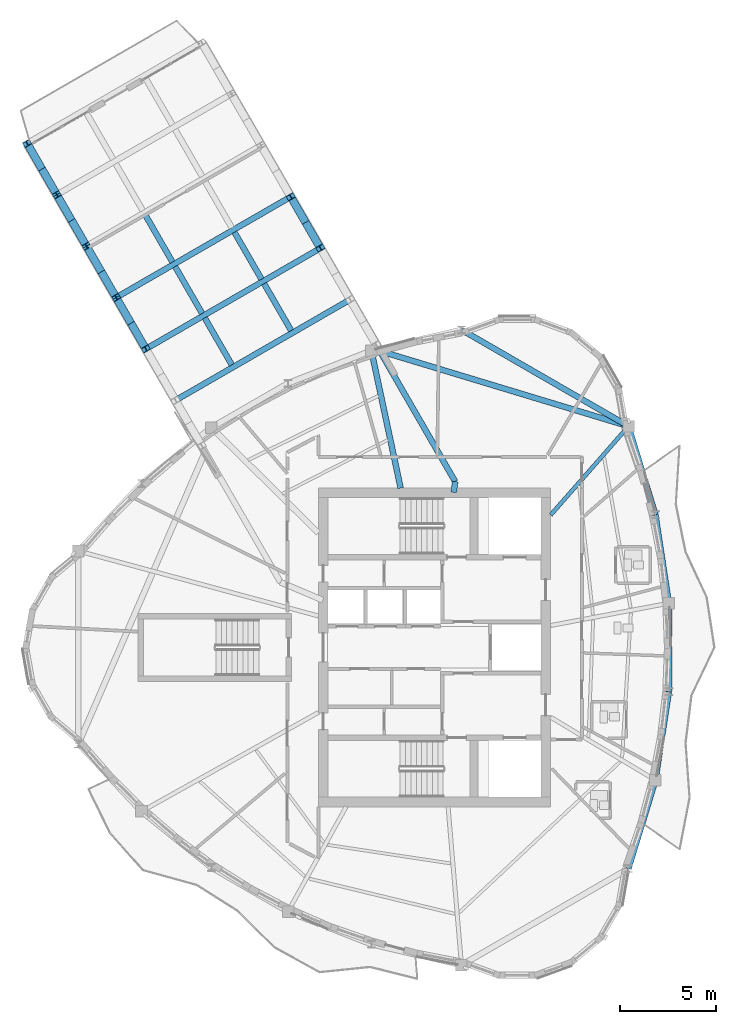
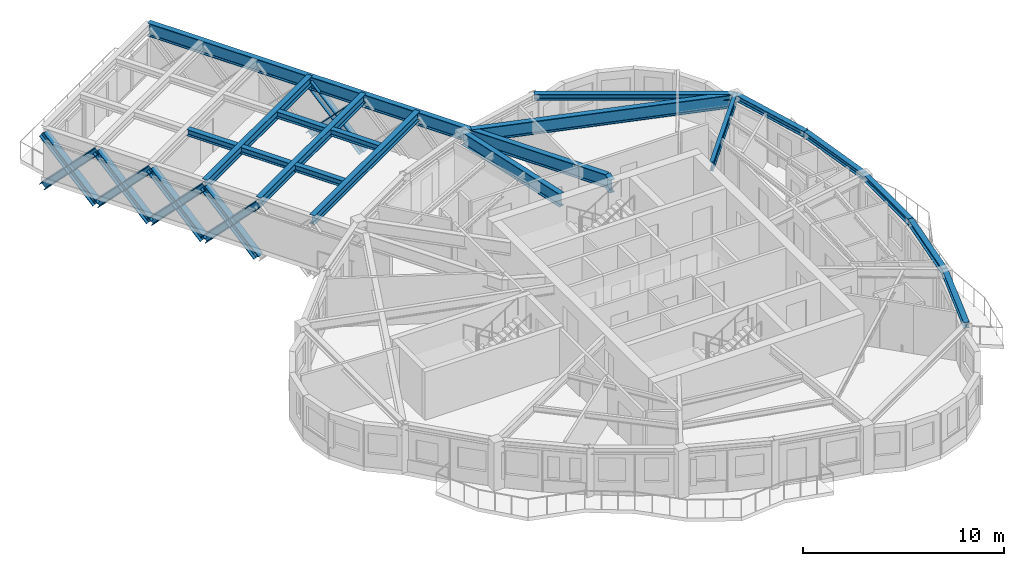
# One storey, part 2 of 14: 19 beams, 10 members.
"""IFC4 building model written with IfcOpenShell, lengths in metres."""

from ifc_helpers import new_model, si_unit, direction, frame, origin, origin_2d, place, context, subcontext, project, spatial, i_section, extrude, source, transform, mapped, material, material_profile, profile_set, type_object, element, save


model = new_model("IFC4")

# Units and contexts
model_context = context("Model", 3, precision=1e-05, world=origin(), true_north=direction((0.0, 1.0)))
body_context = subcontext(model_context, "Body", "Model", "MODEL_VIEW")
ifc_project = project(units=[si_unit("LENGTHUNIT", "METRE"), si_unit("AREAUNIT", "SQUARE_METRE"), si_unit("VOLUMEUNIT", "CUBIC_METRE"), si_unit("PLANEANGLEUNIT", "RADIAN"), si_unit("MASSUNIT", "GRAM", prefix="KILO")], contexts=[model_context])

# Site, building, storey
site_placement = place(None, origin())
site = spatial("IfcSite", under=ifc_project, at=site_placement, CompositionType="ELEMENT")
building_placement = place(site_placement, origin())
building = spatial("IfcBuilding", under=site, at=building_placement, Name="Qafzar Sky-Pleat Residences", CompositionType="ELEMENT")
storey_placement = place(building_placement, frame((0.0, 0.0, 208.39990234375)))
storey = spatial("IfcBuildingStorey", under=building, at=storey_placement, Name="L62", CompositionType="ELEMENT", Elevation=208.39990234375)

# Beams
ifc_material_1 = material(Name="Steel S355", Category="steel")
ifc_material_profile_1 = material_profile(ifc_material_1, i_section(OverallWidth=0.300048828125, OverallDepth=0.360107421875, WebThickness=0.012451171875, FlangeThickness=0.0224609375, FilletRadius=0.027099609375, at=origin_2d()), Name="HEB 360")
ifc_profile_set_1 = profile_set([ifc_material_profile_1], Name="Steel S355")
beam_type_1 = type_object("IfcBeamType", Name="BM-SPAN-HEB360", PredefinedType="SPANDREL", material=ifc_profile_set_1)
shared_shape_1 = source(origin(), body_context, "Body", "SweptSolid", [
    extrude(i_section(OverallWidth=0.300048828125, OverallDepth=0.360107421875, WebThickness=0.012451171875, FlangeThickness=0.0224609375, FilletRadius=0.027099609375, at=origin_2d()), origin(), (0.0, 0.0, 1.0), 10.0458984375),
])
beam_1_placement = place(storey_placement, frame((40.452392578125, 37.5224609375, 2.753173828125), z_axis=(-0.866024107753, 0.500002244785, 0.0), x_axis=(-0.500002244785, -0.866024107753, 0.0)))
element("IfcBeam", 1, at=beam_1_placement, inside=storey, type_object=beam_type_1, Name="L62 Perimeter Spandrel Beam 13", PredefinedType="SPANDREL", context=body_context, shape_type="MappedRepresentation", body=[
    mapped(shared_shape_1, transform((0.0, 0.0, 0.0), x_axis=(1.0, 0.0, 0.0), y_axis=(0.0, 1.0, 0.0), z_axis=(0.0, 0.0, 1.0), scale=1.0)),
])
shared_shape_2 = source(origin(), body_context, "Body", "SweptSolid", [
    extrude(i_section(OverallWidth=0.300048828125, OverallDepth=0.360107421875, WebThickness=0.012451171875, FlangeThickness=0.0224609375, FilletRadius=0.027099609375, at=origin_2d()), origin(), (0.0, 0.0, 1.0), 4.662109375),
])
for number, where, z_axis, x_axis, name in (
    (2, (41.853515625, 19.08642578125, 2.753173828125), (0.150294012462, 0.988641345392, 0.0), (-0.988641345392, 0.150294012462, 0.0), "L62 Perimeter Spandrel Beam 9"),
    (3, (42.55419921875, 28.304443359375, 2.753173828125), (-0.150294012462, 0.988641345392, 0.0), (-0.988641345392, -0.150294012462, 0.0), "L62 Perimeter Spandrel Beam 11"),
):
    element("IfcBeam", number, at=place(storey_placement, frame(where, z_axis=z_axis, x_axis=x_axis)), inside=storey, type_object=beam_type_1, Name=name, PredefinedType="SPANDREL", context=body_context, shape_type="MappedRepresentation", body=[
        mapped(shared_shape_2, transform((0.0, 0.0, 0.0), x_axis=(1.0, 0.0, 0.0), y_axis=(0.0, 1.0, 0.0), z_axis=(0.0, 0.0, 1.0), scale=1.0)),
    ])
shared_shape_3 = source(origin(), body_context, "Body", "SweptSolid", [
    extrude(i_section(OverallWidth=0.300048828125, OverallDepth=0.360107421875, WebThickness=0.012451171875, FlangeThickness=0.0224609375, FilletRadius=0.027099609375, at=origin_2d()), origin(), (0.0, 0.0, 1.0), 4.60888671875),
])
beam_2_placement = place(storey_placement, frame((42.55419921875, 23.695556640625, 2.753173828125), z_axis=(0.0, 1.0, 0.0), x_axis=(-1.0, 0.0, 0.0)))
element("IfcBeam", 4, at=beam_2_placement, inside=storey, type_object=beam_type_1, Name="L62 Perimeter Spandrel Beam 10", PredefinedType="SPANDREL", context=body_context, shape_type="MappedRepresentation", body=[
    mapped(shared_shape_3, transform((0.0, 0.0, 0.0), x_axis=(1.0, 0.0, 0.0), y_axis=(0.0, 1.0, 0.0), z_axis=(0.0, 0.0, 1.0), scale=1.0)),
])
shared_shape_4 = source(origin(), body_context, "Body", "SweptSolid", [
    extrude(i_section(OverallWidth=0.300048828125, OverallDepth=0.360107421875, WebThickness=0.012451171875, FlangeThickness=0.0224609375, FilletRadius=0.027099609375, at=origin_2d()), origin(), (0.0, 0.0, 1.0), 4.817138671875),
])
for number, where, z_axis, x_axis, name in (
    (5, (40.452392578125, 14.4775390625, 2.753173828125), (0.290861107496, 0.956765287908, 0.0), (-0.956765287908, 0.290861107496, 0.0), "L62 Perimeter Spandrel Beam 8"),
    (6, (41.853515625, 32.91357421875, 2.753173828125), (-0.290861107496, 0.956765287908, 0.0), (-0.956765287908, -0.290861107496, 0.0), "L62 Perimeter Spandrel Beam 12"),
):
    element("IfcBeam", number, at=place(storey_placement, frame(where, z_axis=z_axis, x_axis=x_axis)), inside=storey, type_object=beam_type_1, Name=name, PredefinedType="SPANDREL", context=body_context, shape_type="MappedRepresentation", body=[
        mapped(shared_shape_4, transform((0.0, 0.0, 0.0), x_axis=(1.0, 0.0, 0.0), y_axis=(0.0, 1.0, 0.0), z_axis=(0.0, 0.0, 1.0), scale=1.0)),
    ])
ifc_material_profile_2 = material_profile(ifc_material_1, i_section(OverallWidth=0.2099609375, OverallDepth=0.550048828125, WebThickness=0.010986328125, FlangeThickness=0.01708984375, FilletRadius=0.02392578125, at=origin_2d()), Name="IPE 550")
ifc_profile_set_2 = profile_set([ifc_material_profile_2], Name="Steel S355")
beam_type_2 = type_object("IfcBeamType", Name="BM-SEC-IPE550", PredefinedType="BEAM", material=ifc_profile_set_2)
shared_shape_5 = source(origin(), body_context, "Body", "SweptSolid", [
    extrude(i_section(OverallWidth=0.2099609375, OverallDepth=0.550048828125, WebThickness=0.010986328125, FlangeThickness=0.01708984375, FilletRadius=0.02392578125, at=origin_2d()), origin(), (0.0, 0.0, 1.0), 6.14697265625),
])
beam_3_placement = place(storey_placement, frame((40.452392578125, 37.5224609375, 2.658203125), z_axis=(-0.659257841013, -0.751916949578, 0.0), x_axis=(0.751916949578, -0.659257841013, 0.0)))
element("IfcBeam", 7, at=beam_3_placement, inside=storey, type_object=beam_type_2, Name="L62 Radial Floor Girder 13", PredefinedType="BEAM", context=body_context, shape_type="MappedRepresentation", body=[
    mapped(shared_shape_5, transform((0.0, 0.0, 0.0), x_axis=(1.0, 0.0, 0.0), y_axis=(0.0, 1.0, 0.0), z_axis=(0.0, 0.0, 1.0), scale=1.0)),
])
ifc_material_2 = material(Name="Steel S460", Category="steel")
ifc_material_profile_3 = material_profile(ifc_material_2, i_section(OverallWidth=0.300048828125, OverallDepth=0.800048828125, WebThickness=0.017578125, FlangeThickness=0.032958984375, FilletRadius=0.030029296875, at=origin_2d()), Name="HEB 800")
ifc_profile_set_3 = profile_set([ifc_material_profile_3], Name="Steel S460")
beam_type_3 = type_object("IfcBeamType", Name="BM-CHORD-HEB800", PredefinedType="BEAM", material=ifc_profile_set_3)
shared_shape_6 = source(origin(), body_context, "Body", "SweptSolid", [
    extrude(i_section(OverallWidth=0.300048828125, OverallDepth=0.800048828125, WebThickness=0.017578125, FlangeThickness=0.032958984375, FilletRadius=0.030029296875, at=origin_2d()), origin(), (0.0, 0.0, 1.0), 7.314697265625),
])
beam_4_placement = place(storey_placement, frame((27.060302734375, 41.454345703125, 2.533203125), z_axis=(0.208206835337, -0.978084819287, 0.0), x_axis=(0.978084819287, 0.208206835337, 0.0)))
element("IfcBeam", 8, at=beam_4_placement, inside=storey, type_object=beam_type_3, Name="L62 Radial Floor Girder 15", PredefinedType="BEAM", context=body_context, shape_type="MappedRepresentation", body=[
    mapped(shared_shape_6, transform((0.0, 0.0, 0.0), x_axis=(1.0, 0.0, 0.0), y_axis=(0.0, 1.0, 0.0), z_axis=(0.0, 0.0, 1.0), scale=1.0)),
])
shared_shape_7 = source(origin(), body_context, "Body", "SweptSolid", [
    extrude(i_section(OverallWidth=0.300048828125, OverallDepth=0.800048828125, WebThickness=0.017578125, FlangeThickness=0.032958984375, FilletRadius=0.030029296875, at=origin_2d()), origin(), (0.0, 0.0, 1.0), 0.5732421875),
])
beam_5_placement = place(storey_placement, frame((31.421630859375, 34.643798828125, 2.531005859375), z_axis=(-0.123091100206, -0.992395375367, 0.0), x_axis=(0.992395375367, -0.123091100206, 0.0)))
element("IfcBeam", 9, at=beam_5_placement, inside=storey, type_object=beam_type_3, Name="L62 SB-5 Core Back-Span Tie Girder R", PredefinedType="BEAM", context=body_context, shape_type="MappedRepresentation", body=[
    mapped(shared_shape_7, transform((0.0, 0.0, 0.0), x_axis=(1.0, 0.0, 0.0), y_axis=(0.0, 1.0, 0.0), z_axis=(0.0, 0.0, 1.0), scale=1.0)),
])
shared_shape_8 = source(origin(), body_context, "Body", "SweptSolid", [
    extrude(i_section(OverallWidth=0.300048828125, OverallDepth=0.800048828125, WebThickness=0.017578125, FlangeThickness=0.032958984375, FilletRadius=0.030029296875, at=origin_2d()), origin(), (0.0, 0.0, 1.0), 26.399169921875),
])
beam_6_placement = place(storey_placement, frame((31.421630859375, 34.643798828125, 2.533203125), z_axis=(-0.49999730459, 0.866026959975, 0.0), x_axis=(-0.866026959975, -0.49999730459, 0.0)))
element("IfcBeam", 10, at=beam_6_placement, inside=storey, type_object=beam_type_3, Name="L62 SB-5 Truss Chord R1", PredefinedType="BEAM", context=body_context, shape_type="MappedRepresentation", body=[
    mapped(shared_shape_8, transform((0.0, 0.0, 0.0), x_axis=(1.0, 0.0, 0.0), y_axis=(0.0, 1.0, 0.0), z_axis=(0.0, 0.0, 1.0), scale=1.0)),
])

# Members
ifc_material_profile_4 = material_profile(ifc_material_2, i_section(OverallWidth=0.40087890625, OverallDepth=0.39892578125, WebThickness=0.02294921875, FlangeThickness=0.035888671875, FilletRadius=0.014892578125, at=origin_2d()), Name="HD 400x314")
ifc_profile_set_4 = profile_set([ifc_material_profile_4], Name="Steel S460")
member_type = type_object("IfcMemberType", Name="MEM-SB-DIAG", PredefinedType="BRACE", material=ifc_profile_set_4)
shared_shape_9 = source(origin(), body_context, "Body", "SweptSolid", [
    extrude(i_section(OverallWidth=0.40087890625, OverallDepth=0.39892578125, WebThickness=0.02294921875, FlangeThickness=0.035888671875, FilletRadius=0.014892578125, at=origin_2d()), origin(), (0.0, 0.0, 1.0), 4.449462890625),
])
for number, where, z_axis, x_axis, name in (
    (11, (15.31201171875, 41.546875, -0.6669921875), (-0.3474262553, 0.601686089012, 0.719214048401), (-0.865998834389, -0.50004601672, 0.0), "L62 SB-5 Truss Web Diagonal L3A"),
    (12, (15.31201171875, 41.546875, 2.533203125), (-0.3474262553, 0.601686089012, -0.719214048401), (-0.865998834389, -0.50004601672, 0.0), "L62 SB-5 Truss Web Diagonal L3B"),
    (13, (13.76611328125, 44.22412109375, -0.6669921875), (-0.347378008474, 0.601697558194, 0.719227757871), (-0.86603303137, -0.499986788401, 0.0), "L62 SB-5 Truss Web Diagonal L4A"),
    (14, (13.76611328125, 44.22412109375, 2.533203125), (-0.347378008474, 0.601697558194, -0.719227757871), (-0.86603303137, -0.499986788401, 0.0), "L62 SB-5 Truss Web Diagonal L4B"),
    (15, (12.220458984375, 46.9013671875, -0.6669921875), (-0.347378008474, 0.601697558194, 0.719227757871), (-0.86603303137, -0.499986788401, 0.0), "L62 SB-5 Truss Web Diagonal L5A"),
    (16, (12.220458984375, 46.9013671875, 2.533203125), (-0.347378008474, 0.601697558194, -0.719227757871), (-0.86603303137, -0.499986788401, 0.0), "L62 SB-5 Truss Web Diagonal L5B"),
    (17, (24.405029296875, 46.796875, -0.6669921875), (-0.347378008474, 0.601697558194, 0.719227757871), (-0.86603303137, -0.499986788401, 0.0), "L62 SB-5 Truss Web Diagonal R3A"),
    (18, (24.405029296875, 46.796875, 2.533203125), (-0.347378008474, 0.601697558194, -0.719227757871), (-0.86603303137, -0.499986788401, 0.0), "L62 SB-5 Truss Web Diagonal R3B"),
):
    element("IfcMember", number, at=place(storey_placement, frame(where, z_axis=z_axis, x_axis=x_axis)), inside=storey, type_object=member_type, Name=name, PredefinedType="BRACE", context=body_context, shape_type="MappedRepresentation", body=[
        mapped(shared_shape_9, transform((0.0, 0.0, 0.0), x_axis=(1.0, 0.0, 0.0), y_axis=(0.0, 1.0, 0.0), z_axis=(0.0, 0.0, 1.0), scale=1.0)),
    ])

# Beams
shared_shape_10 = source(origin(), body_context, "Body", "SweptSolid", [
    extrude(i_section(OverallWidth=0.300048828125, OverallDepth=0.800048828125, WebThickness=0.017578125, FlangeThickness=0.032958984375, FilletRadius=0.030029296875, at=origin_2d()), origin(), (0.0, 0.0, 1.0), 13.53564453125),
])
beam_7_placement = place(storey_placement, frame((40.452392578125, 37.5224609375, 2.533203125), z_axis=(-0.957154009192, 0.289579354732, 0.0), x_axis=(-0.289579354732, -0.957154009192, 0.0)))
element("IfcBeam", 19, at=beam_7_placement, inside=storey, type_object=beam_type_3, Name="L62 SB-5 Wing-Belt Top Chord R", PredefinedType="BEAM", context=body_context, shape_type="MappedRepresentation", body=[
    mapped(shared_shape_10, transform((0.0, 0.0, 0.0), x_axis=(1.0, 0.0, 0.0), y_axis=(0.0, 1.0, 0.0), z_axis=(0.0, 0.0, 1.0), scale=1.0)),
])
ifc_material_profile_5 = material_profile(ifc_material_1, i_section(OverallWidth=0.300048828125, OverallDepth=0.550048828125, WebThickness=0.014892578125, FlangeThickness=0.029052734375, FilletRadius=0.027099609375, at=origin_2d()), Name="HEB 550")
ifc_profile_set_5 = profile_set([ifc_material_profile_5], Name="Steel S355")
beam_type_4 = type_object("IfcBeamType", Name="BM-GIRD-HEB550", PredefinedType="BEAM", material=ifc_profile_set_5)
shared_shape_11 = source(origin(), body_context, "Body", "SweptSolid", [
    extrude(i_section(OverallWidth=0.300048828125, OverallDepth=0.550048828125, WebThickness=0.014892578125, FlangeThickness=0.029052734375, FilletRadius=0.027099609375, at=origin_2d()), origin(), (0.0, 0.0, 1.0), 10.5),
])
for number, where, z_axis, x_axis, name in (
    (20, (16.857666015625, 38.869384765625, 2.658203125), (0.866025284237, 0.500000207062, 0.0), (-0.500000207062, 0.866025284237, 0.0), "L62 SB-5 Transverse Girder 1"),
    (21, (13.76611328125, 44.22412109375, 2.658203125), (0.866025284237, 0.500000207062, 0.0), (-0.500000207062, 0.866025284237, 0.0), "L62 SB-5 Transverse Girder 3"),
):
    element("IfcBeam", number, at=place(storey_placement, frame(where, z_axis=z_axis, x_axis=x_axis)), inside=storey, type_object=beam_type_4, Name=name, PredefinedType="BEAM", context=body_context, shape_type="MappedRepresentation", body=[
        mapped(shared_shape_11, transform((0.0, 0.0, 0.0), x_axis=(1.0, 0.0, 0.0), y_axis=(0.0, 1.0, 0.0), z_axis=(0.0, 0.0, 1.0), scale=1.0)),
    ])
shared_shape_12 = source(origin(), body_context, "Body", "SweptSolid", [
    extrude(i_section(OverallWidth=0.300048828125, OverallDepth=0.550048828125, WebThickness=0.014892578125, FlangeThickness=0.029052734375, FilletRadius=0.027099609375, at=origin_2d()), origin(), (0.0, 0.0, 1.0), 10.499755859375),
])
beam_8_placement = place(storey_placement, frame((15.31201171875, 41.546875, 2.658203125), z_axis=(0.866019471182, 0.500010275428, 0.0), x_axis=(-0.500010275428, 0.866019471182, 0.0)))
element("IfcBeam", 22, at=beam_8_placement, inside=storey, type_object=beam_type_4, Name="L62 SB-5 Transverse Girder 2", PredefinedType="BEAM", context=body_context, shape_type="MappedRepresentation", body=[
    mapped(shared_shape_12, transform((0.0, 0.0, 0.0), x_axis=(1.0, 0.0, 0.0), y_axis=(0.0, 1.0, 0.0), z_axis=(0.0, 0.0, 1.0), scale=1.0)),
])
ifc_material_profile_6 = material_profile(ifc_material_1, i_section(OverallWidth=0.300048828125, OverallDepth=0.389892578125, WebThickness=0.010986328125, FlangeThickness=0.01904296875, FilletRadius=0.027099609375, at=origin_2d()), Name="HEA 400")
ifc_profile_set_6 = profile_set([ifc_material_profile_6], Name="Steel S355")
beam_type_5 = type_object("IfcBeamType", Name="BM-SBJ-HEA400", PredefinedType="JOIST", material=ifc_profile_set_6)
shared_shape_13 = source(origin(), body_context, "Body", "SweptSolid", [
    extrude(i_section(OverallWidth=0.300048828125, OverallDepth=0.389892578125, WebThickness=0.010986328125, FlangeThickness=0.01904296875, FilletRadius=0.027099609375, at=origin_2d()), origin(), (0.0, 0.0, 1.0), 2.821533203125),
])
for number, where, z_axis, x_axis, name in (
    (23, (22.882568359375, 42.50390625, 2.738037109375), (-0.499954647489, 0.866051586486, 0.0), (-0.866051586486, -0.499954647489, 0.0), "L62 SB-5 Sky-Bar Secondary Deck Joist 2.1"),
    (24, (19.791015625, 40.718994140625, 2.738037109375), (-0.500057011773, 0.86599248552, 0.0), (-0.86599248552, -0.500057011773, 0.0), "L62 SB-5 Sky-Bar Secondary Deck Joist 2.2"),
):
    element("IfcBeam", number, at=place(storey_placement, frame(where, z_axis=z_axis, x_axis=x_axis)), inside=storey, type_object=beam_type_5, Name=name, PredefinedType="JOIST", context=body_context, shape_type="MappedRepresentation", body=[
        mapped(shared_shape_13, transform((0.0, 0.0, 0.0), x_axis=(1.0, 0.0, 0.0), y_axis=(0.0, 1.0, 0.0), z_axis=(0.0, 0.0, 1.0), scale=1.0)),
    ])
shared_shape_14 = source(origin(), body_context, "Body", "SweptSolid", [
    extrude(i_section(OverallWidth=0.300048828125, OverallDepth=0.389892578125, WebThickness=0.010986328125, FlangeThickness=0.01904296875, FilletRadius=0.027099609375, at=origin_2d()), origin(), (0.0, 0.0, 1.0), 2.82177734375),
])
beam_9_placement = place(storey_placement, frame((21.3369140625, 45.18115234375, 2.738037109375), z_axis=(-0.500019542665, 0.866014120528, 0.0), x_axis=(-0.866014120528, -0.500019542665, 0.0)))
element("IfcBeam", 25, at=beam_9_placement, inside=storey, type_object=beam_type_5, Name="L62 SB-5 Sky-Bar Secondary Deck Joist 3.1", PredefinedType="JOIST", context=body_context, shape_type="MappedRepresentation", body=[
    mapped(shared_shape_14, transform((0.0, 0.0, 0.0), x_axis=(1.0, 0.0, 0.0), y_axis=(0.0, 1.0, 0.0), z_axis=(0.0, 0.0, 1.0), scale=1.0)),
])
shared_shape_15 = source(origin(), body_context, "Body", "SweptSolid", [
    extrude(i_section(OverallWidth=0.300048828125, OverallDepth=0.389892578125, WebThickness=0.010986328125, FlangeThickness=0.01904296875, FilletRadius=0.027099609375, at=origin_2d()), origin(), (0.0, 0.0, 1.0), 2.8212890625),
])
for number, where, z_axis, x_axis, name in (
    (26, (18.2451171875, 43.396240234375, 2.738037109375), (-0.499992114976, 0.866029956157, 0.0), (-0.866029956157, -0.499992114976, 0.0), "L62 SB-5 Sky-Bar Secondary Deck Joist 3.2"),
    (27, (16.699462890625, 46.073486328125, 2.738037109375), (-0.499992114976, 0.866029956157, 0.0), (-0.866029956157, -0.499992114976, 0.0), "L62 SB-5 Sky-Bar Secondary Deck Joist 4.2"),
):
    element("IfcBeam", number, at=place(storey_placement, frame(where, z_axis=z_axis, x_axis=x_axis)), inside=storey, type_object=beam_type_5, Name=name, PredefinedType="JOIST", context=body_context, shape_type="MappedRepresentation", body=[
        mapped(shared_shape_15, transform((0.0, 0.0, 0.0), x_axis=(1.0, 0.0, 0.0), y_axis=(0.0, 1.0, 0.0), z_axis=(0.0, 0.0, 1.0), scale=1.0)),
    ])

# Members
shared_shape_16 = source(origin(), body_context, "Body", "SweptSolid", [
    extrude(i_section(OverallWidth=0.40087890625, OverallDepth=0.39892578125, WebThickness=0.02294921875, FlangeThickness=0.035888671875, FilletRadius=0.014892578125, at=origin_2d()), origin(), (0.0, 0.0, 1.0), 4.44970703125),
])
for number, where, z_axis, x_axis, name in (
    (28, (10.6748046875, 49.57861328125, -0.6669921875), (-0.347414785585, 0.601721091837, 0.719190304714), (-0.866018578812, -0.500011821012, 0.0), "L62 SB-5 Truss Web Diagonal L6A"),
    (29, (10.6748046875, 49.57861328125, 2.533203125), (-0.347414785585, 0.601721091837, -0.719190304714), (-0.866018578812, -0.500011821012, 0.0), "L62 SB-5 Truss Web Diagonal L6B"),
):
    element("IfcMember", number, at=place(storey_placement, frame(where, z_axis=z_axis, x_axis=x_axis)), inside=storey, type_object=member_type, Name=name, PredefinedType="BRACE", context=body_context, shape_type="MappedRepresentation", body=[
        mapped(shared_shape_16, transform((0.0, 0.0, 0.0), x_axis=(1.0, 0.0, 0.0), y_axis=(0.0, 1.0, 0.0), z_axis=(0.0, 0.0, 1.0), scale=1.0)),
    ])

save(model, "model.ifc")
